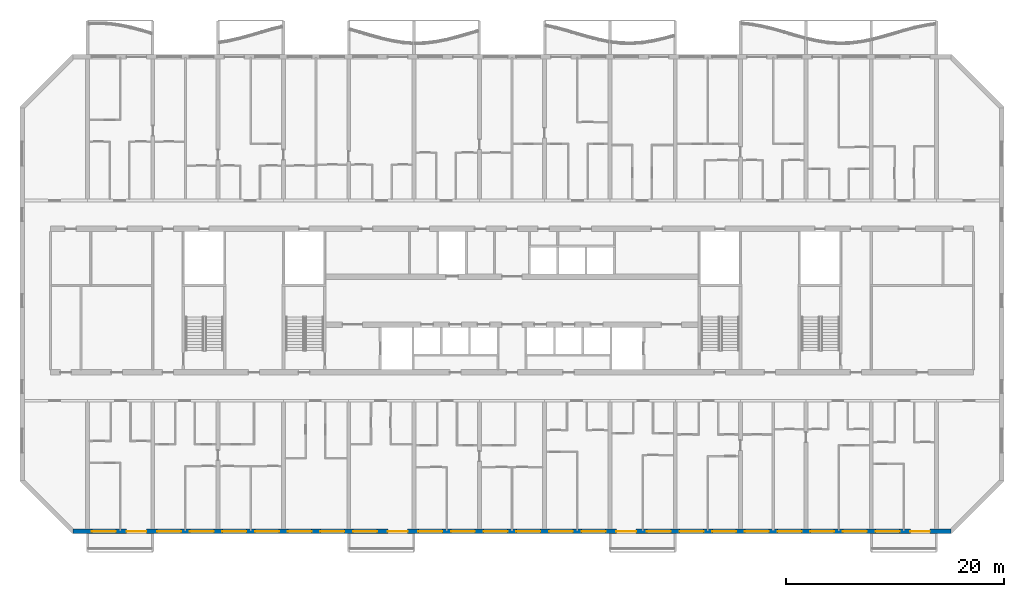
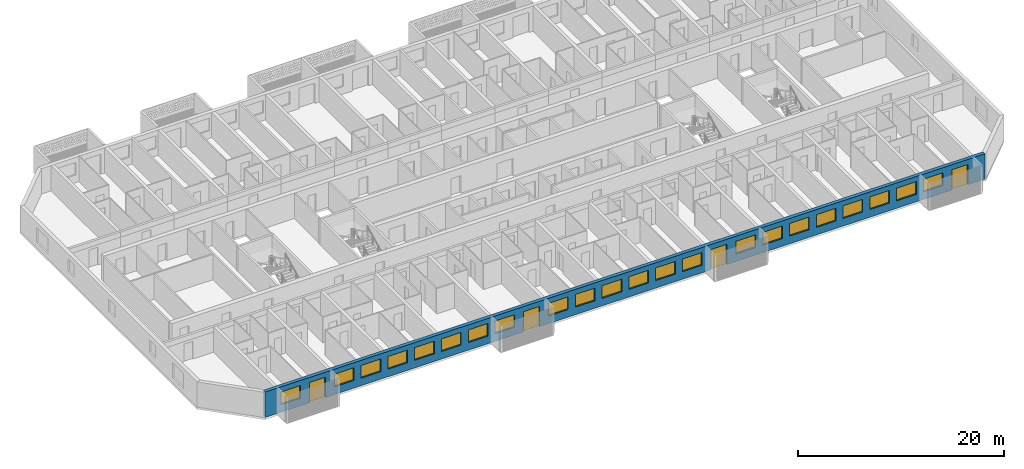
# One storey, part 4 of 24: 22 windows, 4 doors, 1 wall, 26 openings.
"""IFC4 building model written with IfcOpenShell, lengths in metres."""

from ifc_helpers import new_model, si_unit, direction, frame, frame_2d, origin, place, context, subcontext, project, spatial, rectangle, extrude, material, layer, layer_set, type_object, element, fill, save


model = new_model("IFC4")

# Units and contexts
model_context = context("Model", 3, precision=1e-05, world=origin(), true_north=direction((0.0, 1.0)))
body_context = subcontext(model_context, "Body", "Model", "MODEL_VIEW")
ifc_project = project(units=[si_unit("LENGTHUNIT", "METRE"), si_unit("AREAUNIT", "SQUARE_METRE"), si_unit("VOLUMEUNIT", "CUBIC_METRE"), si_unit("PLANEANGLEUNIT", "RADIAN"), si_unit("MASSUNIT", "GRAM", prefix="KILO")], contexts=[model_context])

# Site, building, storey
site_placement = place(None, origin())
site = spatial("IfcSite", under=ifc_project, at=site_placement, CompositionType="ELEMENT")
building_placement = place(site_placement, origin())
building = spatial("IfcBuilding", under=site, at=building_placement, Name="Poui Terraces", CompositionType="ELEMENT")
storey_placement = place(building_placement, frame((0.0, 0.0, 102.60009765625)))
storey = spatial("IfcBuildingStorey", under=building, at=storey_placement, Name="L28", CompositionType="ELEMENT", Elevation=102.60009765625)

# Wall, openings, doors, windows
ifc_material_1 = material(Name="Precast concrete 40 MPa", Category="concrete")
ifc_layer = layer(ifc_material_1, 0.39990234375)
ifc_layer_set = layer_set([ifc_layer], Name="Precast concrete 40 MPa")
wall_type = type_object("IfcWallType", Name="EXTERNAL WALL 400", PredefinedType="STANDARD", material=ifc_layer_set)
wall_placement = place(storey_placement, frame((10.682861328125, 0.0, 0.0), z_axis=(0.0, 0.0, 1.0), x_axis=(1.0, 0.0, 0.0)))
wall = element("IfcWall", 1, at=wall_placement, inside=storey, type_object=wall_type, Name="EXTERNAL WALL S", PredefinedType="STANDARD", context=body_context, shape_type="SweptSolid", body=[
    extrude(rectangle(XDim=80.63427734375, YDim=0.39990234375, at=frame_2d((40.317138671875, 0.0))), origin(), (0.0, 0.0, 1.0), 3.0),
])
opening_1_placement = place(wall_placement, frame((1.71728515625, 0.0, 0.89990234375)))
opening_1 = element("IfcOpeningElement", 2, at=opening_1_placement, cuts=wall, Name="Opening W1", PredefinedType="OPENING", context=body_context, shape_type="SweptSolid", body=[
    extrude(rectangle(XDim=2.199951171875, YDim=1.5, at=frame_2d((1.10009765625, 0.75))), frame((0.0, 0.2099609375, 0.0), z_axis=(0.0, -1.0, 0.0), x_axis=(1.0, 0.0, 0.0)), (0.0, 0.0, 1.0), 0.419921875),
])
opening_2_placement = place(wall_placement, frame((4.917236328125, 0.0, 0.0)))
opening_2 = element("IfcOpeningElement", 3, at=opening_2_placement, cuts=wall, Name="Opening BD1", PredefinedType="OPENING", context=body_context, shape_type="SweptSolid", body=[
    extrude(rectangle(XDim=1.800048828125, YDim=2.39990234375, at=frame_2d((0.89990234375, 1.199951171875))), frame((0.0, 0.2099609375, 0.0), z_axis=(0.0, -1.0, 0.0), x_axis=(1.0, 0.0, 0.0)), (0.0, 0.0, 1.0), 0.419921875),
])
opening_3_placement = place(wall_placement, frame((7.71728515625, 0.0, 0.89990234375)))
opening_3 = element("IfcOpeningElement", 4, at=opening_3_placement, cuts=wall, Name="Opening W1", PredefinedType="OPENING", context=body_context, shape_type="SweptSolid", body=[
    extrude(rectangle(XDim=2.199951171875, YDim=1.5, at=frame_2d((1.10009765625, 0.75))), frame((0.0, 0.2099609375, 0.0), z_axis=(0.0, -1.0, 0.0), x_axis=(1.0, 0.0, 0.0)), (0.0, 0.0, 1.0), 0.419921875),
])
opening_4_placement = place(wall_placement, frame((10.71728515625, 0.0, 0.89990234375)))
opening_4 = element("IfcOpeningElement", 5, at=opening_4_placement, cuts=wall, Name="Opening W1", PredefinedType="OPENING", context=body_context, shape_type="SweptSolid", body=[
    extrude(rectangle(XDim=2.199951171875, YDim=1.5, at=frame_2d((1.10009765625, 0.75))), frame((0.0, 0.2099609375, 0.0), z_axis=(0.0, -1.0, 0.0), x_axis=(1.0, 0.0, 0.0)), (0.0, 0.0, 1.0), 0.419921875),
])
opening_5_placement = place(wall_placement, frame((13.71728515625, 0.0, 0.89990234375)))
opening_5 = element("IfcOpeningElement", 6, at=opening_5_placement, cuts=wall, Name="Opening W1", PredefinedType="OPENING", context=body_context, shape_type="SweptSolid", body=[
    extrude(rectangle(XDim=2.199951171875, YDim=1.5, at=frame_2d((1.10009765625, 0.75))), frame((0.0, 0.2099609375, 0.0), z_axis=(0.0, -1.0, 0.0), x_axis=(1.0, 0.0, 0.0)), (0.0, 0.0, 1.0), 0.419921875),
])
opening_6_placement = place(wall_placement, frame((16.71728515625, 0.0, 0.89990234375)))
opening_6 = element("IfcOpeningElement", 7, at=opening_6_placement, cuts=wall, Name="Opening W1", PredefinedType="OPENING", context=body_context, shape_type="SweptSolid", body=[
    extrude(rectangle(XDim=2.199951171875, YDim=1.5, at=frame_2d((1.10009765625, 0.75))), frame((0.0, 0.2099609375, 0.0), z_axis=(0.0, -1.0, 0.0), x_axis=(1.0, 0.0, 0.0)), (0.0, 0.0, 1.0), 0.419921875),
])
opening_7_placement = place(wall_placement, frame((19.71728515625, 0.0, 0.89990234375)))
opening_7 = element("IfcOpeningElement", 8, at=opening_7_placement, cuts=wall, Name="Opening W1", PredefinedType="OPENING", context=body_context, shape_type="SweptSolid", body=[
    extrude(rectangle(XDim=2.199951171875, YDim=1.5, at=frame_2d((1.10009765625, 0.75))), frame((0.0, 0.2099609375, 0.0), z_axis=(0.0, -1.0, 0.0), x_axis=(1.0, 0.0, 0.0)), (0.0, 0.0, 1.0), 0.419921875),
])
opening_8_placement = place(wall_placement, frame((22.71728515625, 0.0, 0.89990234375)))
opening_8 = element("IfcOpeningElement", 9, at=opening_8_placement, cuts=wall, Name="Opening W1", PredefinedType="OPENING", context=body_context, shape_type="SweptSolid", body=[
    extrude(rectangle(XDim=2.199951171875, YDim=1.5, at=frame_2d((1.10009765625, 0.75))), frame((0.0, 0.2099609375, 0.0), z_axis=(0.0, -1.0, 0.0), x_axis=(1.0, 0.0, 0.0)), (0.0, 0.0, 1.0), 0.419921875),
])
opening_9_placement = place(wall_placement, frame((25.71728515625, 0.0, 0.89990234375)))
opening_9 = element("IfcOpeningElement", 10, at=opening_9_placement, cuts=wall, Name="Opening W1", PredefinedType="OPENING", context=body_context, shape_type="SweptSolid", body=[
    extrude(rectangle(XDim=2.199951171875, YDim=1.5, at=frame_2d((1.10009765625, 0.75))), frame((0.0, 0.2099609375, 0.0), z_axis=(0.0, -1.0, 0.0), x_axis=(1.0, 0.0, 0.0)), (0.0, 0.0, 1.0), 0.419921875),
])
opening_10_placement = place(wall_placement, frame((28.917236328125, 0.0, 0.0)))
opening_10 = element("IfcOpeningElement", 11, at=opening_10_placement, cuts=wall, Name="Opening BD1", PredefinedType="OPENING", context=body_context, shape_type="SweptSolid", body=[
    extrude(rectangle(XDim=1.800048828125, YDim=2.39990234375, at=frame_2d((0.89990234375, 1.199951171875))), frame((0.0, 0.2099609375, 0.0), z_axis=(0.0, -1.0, 0.0), x_axis=(1.0, 0.0, 0.0)), (0.0, 0.0, 1.0), 0.419921875),
])
opening_11_placement = place(wall_placement, frame((31.71728515625, 0.0, 0.89990234375)))
opening_11 = element("IfcOpeningElement", 12, at=opening_11_placement, cuts=wall, Name="Opening W1", PredefinedType="OPENING", context=body_context, shape_type="SweptSolid", body=[
    extrude(rectangle(XDim=2.199951171875, YDim=1.5, at=frame_2d((1.10009765625, 0.75))), frame((0.0, 0.2099609375, 0.0), z_axis=(0.0, -1.0, 0.0), x_axis=(1.0, 0.0, 0.0)), (0.0, 0.0, 1.0), 0.419921875),
])
opening_12_placement = place(wall_placement, frame((34.71728515625, 0.0, 0.89990234375)))
opening_12 = element("IfcOpeningElement", 13, at=opening_12_placement, cuts=wall, Name="Opening W1", PredefinedType="OPENING", context=body_context, shape_type="SweptSolid", body=[
    extrude(rectangle(XDim=2.199951171875, YDim=1.5, at=frame_2d((1.10009765625, 0.75))), frame((0.0, 0.2099609375, 0.0), z_axis=(0.0, -1.0, 0.0), x_axis=(1.0, 0.0, 0.0)), (0.0, 0.0, 1.0), 0.419921875),
])
opening_13_placement = place(wall_placement, frame((37.71728515625, 0.0, 0.89990234375)))
opening_13 = element("IfcOpeningElement", 14, at=opening_13_placement, cuts=wall, Name="Opening W1", PredefinedType="OPENING", context=body_context, shape_type="SweptSolid", body=[
    extrude(rectangle(XDim=2.199951171875, YDim=1.5, at=frame_2d((1.10009765625, 0.75))), frame((0.0, 0.2099609375, 0.0), z_axis=(0.0, -1.0, 0.0), x_axis=(1.0, 0.0, 0.0)), (0.0, 0.0, 1.0), 0.419921875),
])
opening_14_placement = place(wall_placement, frame((40.71728515625, 0.0, 0.89990234375)))
opening_14 = element("IfcOpeningElement", 15, at=opening_14_placement, cuts=wall, Name="Opening W1", PredefinedType="OPENING", context=body_context, shape_type="SweptSolid", body=[
    extrude(rectangle(XDim=2.199951171875, YDim=1.5, at=frame_2d((1.10009765625, 0.75))), frame((0.0, 0.2099609375, 0.0), z_axis=(0.0, -1.0, 0.0), x_axis=(1.0, 0.0, 0.0)), (0.0, 0.0, 1.0), 0.419921875),
])
opening_15_placement = place(wall_placement, frame((43.71728515625, 0.0, 0.89990234375)))
opening_15 = element("IfcOpeningElement", 16, at=opening_15_placement, cuts=wall, Name="Opening W1", PredefinedType="OPENING", context=body_context, shape_type="SweptSolid", body=[
    extrude(rectangle(XDim=2.199951171875, YDim=1.5, at=frame_2d((1.10009765625, 0.75))), frame((0.0, 0.2099609375, 0.0), z_axis=(0.0, -1.0, 0.0), x_axis=(1.0, 0.0, 0.0)), (0.0, 0.0, 1.0), 0.419921875),
])
opening_16_placement = place(wall_placement, frame((46.71728515625, 0.0, 0.89990234375)))
opening_16 = element("IfcOpeningElement", 17, at=opening_16_placement, cuts=wall, Name="Opening W1", PredefinedType="OPENING", context=body_context, shape_type="SweptSolid", body=[
    extrude(rectangle(XDim=2.199951171875, YDim=1.5, at=frame_2d((1.10009765625, 0.75))), frame((0.0, 0.2099609375, 0.0), z_axis=(0.0, -1.0, 0.0), x_axis=(1.0, 0.0, 0.0)), (0.0, 0.0, 1.0), 0.419921875),
])
opening_17_placement = place(wall_placement, frame((49.917236328125, 0.0, 0.0)))
opening_17 = element("IfcOpeningElement", 18, at=opening_17_placement, cuts=wall, Name="Opening BD1", PredefinedType="OPENING", context=body_context, shape_type="SweptSolid", body=[
    extrude(rectangle(XDim=1.800048828125, YDim=2.39990234375, at=frame_2d((0.89990234375, 1.199951171875))), frame((0.0, 0.2099609375, 0.0), z_axis=(0.0, -1.0, 0.0), x_axis=(1.0, 0.0, 0.0)), (0.0, 0.0, 1.0), 0.419921875),
])
opening_18_placement = place(wall_placement, frame((52.71728515625, 0.0, 0.89990234375)))
opening_18 = element("IfcOpeningElement", 19, at=opening_18_placement, cuts=wall, Name="Opening W1", PredefinedType="OPENING", context=body_context, shape_type="SweptSolid", body=[
    extrude(rectangle(XDim=2.199951171875, YDim=1.5, at=frame_2d((1.10009765625, 0.75))), frame((0.0, 0.2099609375, 0.0), z_axis=(0.0, -1.0, 0.0), x_axis=(1.0, 0.0, 0.0)), (0.0, 0.0, 1.0), 0.419921875),
])
opening_19_placement = place(wall_placement, frame((55.71728515625, 0.0, 0.89990234375)))
opening_19 = element("IfcOpeningElement", 20, at=opening_19_placement, cuts=wall, Name="Opening W1", PredefinedType="OPENING", context=body_context, shape_type="SweptSolid", body=[
    extrude(rectangle(XDim=2.199951171875, YDim=1.5, at=frame_2d((1.10009765625, 0.75))), frame((0.0, 0.2099609375, 0.0), z_axis=(0.0, -1.0, 0.0), x_axis=(1.0, 0.0, 0.0)), (0.0, 0.0, 1.0), 0.419921875),
])
opening_20_placement = place(wall_placement, frame((58.71728515625, 0.0, 0.89990234375)))
opening_20 = element("IfcOpeningElement", 21, at=opening_20_placement, cuts=wall, Name="Opening W1", PredefinedType="OPENING", context=body_context, shape_type="SweptSolid", body=[
    extrude(rectangle(XDim=2.199951171875, YDim=1.5, at=frame_2d((1.10009765625, 0.75))), frame((0.0, 0.2099609375, 0.0), z_axis=(0.0, -1.0, 0.0), x_axis=(1.0, 0.0, 0.0)), (0.0, 0.0, 1.0), 0.419921875),
])
opening_21_placement = place(wall_placement, frame((61.71728515625, 0.0, 0.89990234375)))
opening_21 = element("IfcOpeningElement", 22, at=opening_21_placement, cuts=wall, Name="Opening W1", PredefinedType="OPENING", context=body_context, shape_type="SweptSolid", body=[
    extrude(rectangle(XDim=2.199951171875, YDim=1.5, at=frame_2d((1.10009765625, 0.75))), frame((0.0, 0.2099609375, 0.0), z_axis=(0.0, -1.0, 0.0), x_axis=(1.0, 0.0, 0.0)), (0.0, 0.0, 1.0), 0.419921875),
])
opening_22_placement = place(wall_placement, frame((64.71728515625, 0.0, 0.89990234375)))
opening_22 = element("IfcOpeningElement", 23, at=opening_22_placement, cuts=wall, Name="Opening W1", PredefinedType="OPENING", context=body_context, shape_type="SweptSolid", body=[
    extrude(rectangle(XDim=2.199951171875, YDim=1.5, at=frame_2d((1.10009765625, 0.75))), frame((0.0, 0.2099609375, 0.0), z_axis=(0.0, -1.0, 0.0), x_axis=(1.0, 0.0, 0.0)), (0.0, 0.0, 1.0), 0.419921875),
])
opening_23_placement = place(wall_placement, frame((67.71728515625, 0.0, 0.89990234375)))
opening_23 = element("IfcOpeningElement", 24, at=opening_23_placement, cuts=wall, Name="Opening W1", PredefinedType="OPENING", context=body_context, shape_type="SweptSolid", body=[
    extrude(rectangle(XDim=2.199951171875, YDim=1.5, at=frame_2d((1.10009765625, 0.75))), frame((0.0, 0.2099609375, 0.0), z_axis=(0.0, -1.0, 0.0), x_axis=(1.0, 0.0, 0.0)), (0.0, 0.0, 1.0), 0.419921875),
])
opening_24_placement = place(wall_placement, frame((70.71728515625, 0.0, 0.89990234375)))
opening_24 = element("IfcOpeningElement", 25, at=opening_24_placement, cuts=wall, Name="Opening W1", PredefinedType="OPENING", context=body_context, shape_type="SweptSolid", body=[
    extrude(rectangle(XDim=2.199951171875, YDim=1.5, at=frame_2d((1.10009765625, 0.75))), frame((0.0, 0.2099609375, 0.0), z_axis=(0.0, -1.0, 0.0), x_axis=(1.0, 0.0, 0.0)), (0.0, 0.0, 1.0), 0.419921875),
])
opening_25_placement = place(wall_placement, frame((73.71728515625, 0.0, 0.89990234375)))
opening_25 = element("IfcOpeningElement", 26, at=opening_25_placement, cuts=wall, Name="Opening W1", PredefinedType="OPENING", context=body_context, shape_type="SweptSolid", body=[
    extrude(rectangle(XDim=2.199951171875, YDim=1.5, at=frame_2d((1.10009765625, 0.75))), frame((0.0, 0.2099609375, 0.0), z_axis=(0.0, -1.0, 0.0), x_axis=(1.0, 0.0, 0.0)), (0.0, 0.0, 1.0), 0.419921875),
])
opening_26_placement = place(wall_placement, frame((76.917236328125, 0.0, 0.0)))
opening_26 = element("IfcOpeningElement", 27, at=opening_26_placement, cuts=wall, Name="Opening BD1", PredefinedType="OPENING", context=body_context, shape_type="SweptSolid", body=[
    extrude(rectangle(XDim=1.800048828125, YDim=2.39990234375, at=frame_2d((0.89990234375, 1.199951171875))), frame((0.0, 0.2099609375, 0.0), z_axis=(0.0, -1.0, 0.0), x_axis=(1.0, 0.0, 0.0)), (0.0, 0.0, 1.0), 0.419921875),
])
ifc_material_2 = material(Name="Clear glass in aluminium frame", Category="aluminium")
door_type = type_object("IfcDoorType", Name="BALCONY DOOR 1800X2400", OperationType="DOUBLE_DOOR_SLIDING", PredefinedType="DOOR", material=ifc_material_2)
door_1_placement = place(opening_2_placement, origin())
door_1 = element("IfcDoor", 28, at=door_1_placement, inside=storey, type_object=door_type, Name="BD1 BALCONY DOOR", OperationType="DOUBLE_DOOR_SLIDING", OverallHeight=2.39990234375, OverallWidth=1.800048828125, PredefinedType="DOOR", context=body_context, shape_type="SweptSolid", body=[
    extrude(rectangle(XDim=1.800048828125, YDim=2.39990234375, at=frame_2d((0.89990234375, 1.199951171875))), frame((0.0, 0.02490234375, 0.0), z_axis=(0.0, -1.0, 0.0), x_axis=(1.0, 0.0, 0.0)), (0.0, 0.0, 1.0), 0.050048828125),
])
fill(opening_2, door_1)
door_2_placement = place(opening_10_placement, origin())
door_2 = element("IfcDoor", 29, at=door_2_placement, inside=storey, type_object=door_type, Name="BD1 BALCONY DOOR", OperationType="DOUBLE_DOOR_SLIDING", OverallHeight=2.39990234375, OverallWidth=1.800048828125, PredefinedType="DOOR", context=body_context, shape_type="SweptSolid", body=[
    extrude(rectangle(XDim=1.800048828125, YDim=2.39990234375, at=frame_2d((0.89990234375, 1.199951171875))), frame((0.0, 0.02490234375, 0.0), z_axis=(0.0, -1.0, 0.0), x_axis=(1.0, 0.0, 0.0)), (0.0, 0.0, 1.0), 0.050048828125),
])
fill(opening_10, door_2)
door_3_placement = place(opening_17_placement, origin())
door_3 = element("IfcDoor", 30, at=door_3_placement, inside=storey, type_object=door_type, Name="BD1 BALCONY DOOR", OperationType="DOUBLE_DOOR_SLIDING", OverallHeight=2.39990234375, OverallWidth=1.800048828125, PredefinedType="DOOR", context=body_context, shape_type="SweptSolid", body=[
    extrude(rectangle(XDim=1.800048828125, YDim=2.39990234375, at=frame_2d((0.89990234375, 1.199951171875))), frame((0.0, 0.02490234375, 0.0), z_axis=(0.0, -1.0, 0.0), x_axis=(1.0, 0.0, 0.0)), (0.0, 0.0, 1.0), 0.050048828125),
])
fill(opening_17, door_3)
door_4_placement = place(opening_26_placement, origin())
door_4 = element("IfcDoor", 31, at=door_4_placement, inside=storey, type_object=door_type, Name="BD1 BALCONY DOOR", OperationType="DOUBLE_DOOR_SLIDING", OverallHeight=2.39990234375, OverallWidth=1.800048828125, PredefinedType="DOOR", context=body_context, shape_type="SweptSolid", body=[
    extrude(rectangle(XDim=1.800048828125, YDim=2.39990234375, at=frame_2d((0.89990234375, 1.199951171875))), frame((0.0, 0.02490234375, 0.0), z_axis=(0.0, -1.0, 0.0), x_axis=(1.0, 0.0, 0.0)), (0.0, 0.0, 1.0), 0.050048828125),
])
fill(opening_26, door_4)
window_type = type_object("IfcWindowType", Name="WINDOW 2200X1500", PartitioningType="DOUBLE_PANEL_HORIZONTAL", PredefinedType="WINDOW", material=ifc_material_2)
window_1_placement = place(opening_1_placement, origin())
window_1 = element("IfcWindow", 32, at=window_1_placement, inside=storey, type_object=window_type, Name="W1 WINDOW", OverallHeight=1.5, OverallWidth=2.199951171875, PartitioningType="DOUBLE_PANEL_HORIZONTAL", PredefinedType="WINDOW", context=body_context, shape_type="SweptSolid", body=[
    extrude(rectangle(XDim=2.199951171875, YDim=1.5, at=frame_2d((1.10009765625, 0.75))), frame((0.0, 0.030029296875, 0.0), z_axis=(0.0, -1.0, 0.0), x_axis=(1.0, 0.0, 0.0)), (0.0, 0.0, 1.0), 0.06005859375),
])
fill(opening_1, window_1)
window_2_placement = place(opening_3_placement, origin())
window_2 = element("IfcWindow", 33, at=window_2_placement, inside=storey, type_object=window_type, Name="W1 WINDOW", OverallHeight=1.5, OverallWidth=2.199951171875, PartitioningType="DOUBLE_PANEL_HORIZONTAL", PredefinedType="WINDOW", context=body_context, shape_type="SweptSolid", body=[
    extrude(rectangle(XDim=2.199951171875, YDim=1.5, at=frame_2d((1.10009765625, 0.75))), frame((0.0, 0.030029296875, 0.0), z_axis=(0.0, -1.0, 0.0), x_axis=(1.0, 0.0, 0.0)), (0.0, 0.0, 1.0), 0.06005859375),
])
fill(opening_3, window_2)
window_3_placement = place(opening_4_placement, origin())
window_3 = element("IfcWindow", 34, at=window_3_placement, inside=storey, type_object=window_type, Name="W1 WINDOW", OverallHeight=1.5, OverallWidth=2.199951171875, PartitioningType="DOUBLE_PANEL_HORIZONTAL", PredefinedType="WINDOW", context=body_context, shape_type="SweptSolid", body=[
    extrude(rectangle(XDim=2.199951171875, YDim=1.5, at=frame_2d((1.10009765625, 0.75))), frame((0.0, 0.030029296875, 0.0), z_axis=(0.0, -1.0, 0.0), x_axis=(1.0, 0.0, 0.0)), (0.0, 0.0, 1.0), 0.06005859375),
])
fill(opening_4, window_3)
window_4_placement = place(opening_5_placement, origin())
window_4 = element("IfcWindow", 35, at=window_4_placement, inside=storey, type_object=window_type, Name="W1 WINDOW", OverallHeight=1.5, OverallWidth=2.199951171875, PartitioningType="DOUBLE_PANEL_HORIZONTAL", PredefinedType="WINDOW", context=body_context, shape_type="SweptSolid", body=[
    extrude(rectangle(XDim=2.199951171875, YDim=1.5, at=frame_2d((1.10009765625, 0.75))), frame((0.0, 0.030029296875, 0.0), z_axis=(0.0, -1.0, 0.0), x_axis=(1.0, 0.0, 0.0)), (0.0, 0.0, 1.0), 0.06005859375),
])
fill(opening_5, window_4)
window_5_placement = place(opening_6_placement, origin())
window_5 = element("IfcWindow", 36, at=window_5_placement, inside=storey, type_object=window_type, Name="W1 WINDOW", OverallHeight=1.5, OverallWidth=2.199951171875, PartitioningType="DOUBLE_PANEL_HORIZONTAL", PredefinedType="WINDOW", context=body_context, shape_type="SweptSolid", body=[
    extrude(rectangle(XDim=2.199951171875, YDim=1.5, at=frame_2d((1.10009765625, 0.75))), frame((0.0, 0.030029296875, 0.0), z_axis=(0.0, -1.0, 0.0), x_axis=(1.0, 0.0, 0.0)), (0.0, 0.0, 1.0), 0.06005859375),
])
fill(opening_6, window_5)
window_6_placement = place(opening_7_placement, origin())
window_6 = element("IfcWindow", 37, at=window_6_placement, inside=storey, type_object=window_type, Name="W1 WINDOW", OverallHeight=1.5, OverallWidth=2.199951171875, PartitioningType="DOUBLE_PANEL_HORIZONTAL", PredefinedType="WINDOW", context=body_context, shape_type="SweptSolid", body=[
    extrude(rectangle(XDim=2.199951171875, YDim=1.5, at=frame_2d((1.10009765625, 0.75))), frame((0.0, 0.030029296875, 0.0), z_axis=(0.0, -1.0, 0.0), x_axis=(1.0, 0.0, 0.0)), (0.0, 0.0, 1.0), 0.06005859375),
])
fill(opening_7, window_6)
window_7_placement = place(opening_8_placement, origin())
window_7 = element("IfcWindow", 38, at=window_7_placement, inside=storey, type_object=window_type, Name="W1 WINDOW", OverallHeight=1.5, OverallWidth=2.199951171875, PartitioningType="DOUBLE_PANEL_HORIZONTAL", PredefinedType="WINDOW", context=body_context, shape_type="SweptSolid", body=[
    extrude(rectangle(XDim=2.199951171875, YDim=1.5, at=frame_2d((1.10009765625, 0.75))), frame((0.0, 0.030029296875, 0.0), z_axis=(0.0, -1.0, 0.0), x_axis=(1.0, 0.0, 0.0)), (0.0, 0.0, 1.0), 0.06005859375),
])
fill(opening_8, window_7)
window_8_placement = place(opening_9_placement, origin())
window_8 = element("IfcWindow", 39, at=window_8_placement, inside=storey, type_object=window_type, Name="W1 WINDOW", OverallHeight=1.5, OverallWidth=2.199951171875, PartitioningType="DOUBLE_PANEL_HORIZONTAL", PredefinedType="WINDOW", context=body_context, shape_type="SweptSolid", body=[
    extrude(rectangle(XDim=2.199951171875, YDim=1.5, at=frame_2d((1.10009765625, 0.75))), frame((0.0, 0.030029296875, 0.0), z_axis=(0.0, -1.0, 0.0), x_axis=(1.0, 0.0, 0.0)), (0.0, 0.0, 1.0), 0.06005859375),
])
fill(opening_9, window_8)
window_9_placement = place(opening_11_placement, origin())
window_9 = element("IfcWindow", 40, at=window_9_placement, inside=storey, type_object=window_type, Name="W1 WINDOW", OverallHeight=1.5, OverallWidth=2.199951171875, PartitioningType="DOUBLE_PANEL_HORIZONTAL", PredefinedType="WINDOW", context=body_context, shape_type="SweptSolid", body=[
    extrude(rectangle(XDim=2.199951171875, YDim=1.5, at=frame_2d((1.10009765625, 0.75))), frame((0.0, 0.030029296875, 0.0), z_axis=(0.0, -1.0, 0.0), x_axis=(1.0, 0.0, 0.0)), (0.0, 0.0, 1.0), 0.06005859375),
])
fill(opening_11, window_9)
window_10_placement = place(opening_12_placement, origin())
window_10 = element("IfcWindow", 41, at=window_10_placement, inside=storey, type_object=window_type, Name="W1 WINDOW", OverallHeight=1.5, OverallWidth=2.199951171875, PartitioningType="DOUBLE_PANEL_HORIZONTAL", PredefinedType="WINDOW", context=body_context, shape_type="SweptSolid", body=[
    extrude(rectangle(XDim=2.199951171875, YDim=1.5, at=frame_2d((1.10009765625, 0.75))), frame((0.0, 0.030029296875, 0.0), z_axis=(0.0, -1.0, 0.0), x_axis=(1.0, 0.0, 0.0)), (0.0, 0.0, 1.0), 0.06005859375),
])
fill(opening_12, window_10)
window_11_placement = place(opening_13_placement, origin())
window_11 = element("IfcWindow", 42, at=window_11_placement, inside=storey, type_object=window_type, Name="W1 WINDOW", OverallHeight=1.5, OverallWidth=2.199951171875, PartitioningType="DOUBLE_PANEL_HORIZONTAL", PredefinedType="WINDOW", context=body_context, shape_type="SweptSolid", body=[
    extrude(rectangle(XDim=2.199951171875, YDim=1.5, at=frame_2d((1.10009765625, 0.75))), frame((0.0, 0.030029296875, 0.0), z_axis=(0.0, -1.0, 0.0), x_axis=(1.0, 0.0, 0.0)), (0.0, 0.0, 1.0), 0.06005859375),
])
fill(opening_13, window_11)
window_12_placement = place(opening_14_placement, origin())
window_12 = element("IfcWindow", 43, at=window_12_placement, inside=storey, type_object=window_type, Name="W1 WINDOW", OverallHeight=1.5, OverallWidth=2.199951171875, PartitioningType="DOUBLE_PANEL_HORIZONTAL", PredefinedType="WINDOW", context=body_context, shape_type="SweptSolid", body=[
    extrude(rectangle(XDim=2.199951171875, YDim=1.5, at=frame_2d((1.10009765625, 0.75))), frame((0.0, 0.030029296875, 0.0), z_axis=(0.0, -1.0, 0.0), x_axis=(1.0, 0.0, 0.0)), (0.0, 0.0, 1.0), 0.06005859375),
])
fill(opening_14, window_12)
window_13_placement = place(opening_15_placement, origin())
window_13 = element("IfcWindow", 44, at=window_13_placement, inside=storey, type_object=window_type, Name="W1 WINDOW", OverallHeight=1.5, OverallWidth=2.199951171875, PartitioningType="DOUBLE_PANEL_HORIZONTAL", PredefinedType="WINDOW", context=body_context, shape_type="SweptSolid", body=[
    extrude(rectangle(XDim=2.199951171875, YDim=1.5, at=frame_2d((1.10009765625, 0.75))), frame((0.0, 0.030029296875, 0.0), z_axis=(0.0, -1.0, 0.0), x_axis=(1.0, 0.0, 0.0)), (0.0, 0.0, 1.0), 0.06005859375),
])
fill(opening_15, window_13)
window_14_placement = place(opening_16_placement, origin())
window_14 = element("IfcWindow", 45, at=window_14_placement, inside=storey, type_object=window_type, Name="W1 WINDOW", OverallHeight=1.5, OverallWidth=2.199951171875, PartitioningType="DOUBLE_PANEL_HORIZONTAL", PredefinedType="WINDOW", context=body_context, shape_type="SweptSolid", body=[
    extrude(rectangle(XDim=2.199951171875, YDim=1.5, at=frame_2d((1.10009765625, 0.75))), frame((0.0, 0.030029296875, 0.0), z_axis=(0.0, -1.0, 0.0), x_axis=(1.0, 0.0, 0.0)), (0.0, 0.0, 1.0), 0.06005859375),
])
fill(opening_16, window_14)
window_15_placement = place(opening_18_placement, origin())
window_15 = element("IfcWindow", 46, at=window_15_placement, inside=storey, type_object=window_type, Name="W1 WINDOW", OverallHeight=1.5, OverallWidth=2.199951171875, PartitioningType="DOUBLE_PANEL_HORIZONTAL", PredefinedType="WINDOW", context=body_context, shape_type="SweptSolid", body=[
    extrude(rectangle(XDim=2.199951171875, YDim=1.5, at=frame_2d((1.10009765625, 0.75))), frame((0.0, 0.030029296875, 0.0), z_axis=(0.0, -1.0, 0.0), x_axis=(1.0, 0.0, 0.0)), (0.0, 0.0, 1.0), 0.06005859375),
])
fill(opening_18, window_15)
window_16_placement = place(opening_19_placement, origin())
window_16 = element("IfcWindow", 47, at=window_16_placement, inside=storey, type_object=window_type, Name="W1 WINDOW", OverallHeight=1.5, OverallWidth=2.199951171875, PartitioningType="DOUBLE_PANEL_HORIZONTAL", PredefinedType="WINDOW", context=body_context, shape_type="SweptSolid", body=[
    extrude(rectangle(XDim=2.199951171875, YDim=1.5, at=frame_2d((1.10009765625, 0.75))), frame((0.0, 0.030029296875, 0.0), z_axis=(0.0, -1.0, 0.0), x_axis=(1.0, 0.0, 0.0)), (0.0, 0.0, 1.0), 0.06005859375),
])
fill(opening_19, window_16)
window_17_placement = place(opening_20_placement, origin())
window_17 = element("IfcWindow", 48, at=window_17_placement, inside=storey, type_object=window_type, Name="W1 WINDOW", OverallHeight=1.5, OverallWidth=2.199951171875, PartitioningType="DOUBLE_PANEL_HORIZONTAL", PredefinedType="WINDOW", context=body_context, shape_type="SweptSolid", body=[
    extrude(rectangle(XDim=2.199951171875, YDim=1.5, at=frame_2d((1.10009765625, 0.75))), frame((0.0, 0.030029296875, 0.0), z_axis=(0.0, -1.0, 0.0), x_axis=(1.0, 0.0, 0.0)), (0.0, 0.0, 1.0), 0.06005859375),
])
fill(opening_20, window_17)
window_18_placement = place(opening_21_placement, origin())
window_18 = element("IfcWindow", 49, at=window_18_placement, inside=storey, type_object=window_type, Name="W1 WINDOW", OverallHeight=1.5, OverallWidth=2.199951171875, PartitioningType="DOUBLE_PANEL_HORIZONTAL", PredefinedType="WINDOW", context=body_context, shape_type="SweptSolid", body=[
    extrude(rectangle(XDim=2.199951171875, YDim=1.5, at=frame_2d((1.10009765625, 0.75))), frame((0.0, 0.030029296875, 0.0), z_axis=(0.0, -1.0, 0.0), x_axis=(1.0, 0.0, 0.0)), (0.0, 0.0, 1.0), 0.06005859375),
])
fill(opening_21, window_18)
window_19_placement = place(opening_22_placement, origin())
window_19 = element("IfcWindow", 50, at=window_19_placement, inside=storey, type_object=window_type, Name="W1 WINDOW", OverallHeight=1.5, OverallWidth=2.199951171875, PartitioningType="DOUBLE_PANEL_HORIZONTAL", PredefinedType="WINDOW", context=body_context, shape_type="SweptSolid", body=[
    extrude(rectangle(XDim=2.199951171875, YDim=1.5, at=frame_2d((1.10009765625, 0.75))), frame((0.0, 0.030029296875, 0.0), z_axis=(0.0, -1.0, 0.0), x_axis=(1.0, 0.0, 0.0)), (0.0, 0.0, 1.0), 0.06005859375),
])
fill(opening_22, window_19)
window_20_placement = place(opening_23_placement, origin())
window_20 = element("IfcWindow", 51, at=window_20_placement, inside=storey, type_object=window_type, Name="W1 WINDOW", OverallHeight=1.5, OverallWidth=2.199951171875, PartitioningType="DOUBLE_PANEL_HORIZONTAL", PredefinedType="WINDOW", context=body_context, shape_type="SweptSolid", body=[
    extrude(rectangle(XDim=2.199951171875, YDim=1.5, at=frame_2d((1.10009765625, 0.75))), frame((0.0, 0.030029296875, 0.0), z_axis=(0.0, -1.0, 0.0), x_axis=(1.0, 0.0, 0.0)), (0.0, 0.0, 1.0), 0.06005859375),
])
fill(opening_23, window_20)
window_21_placement = place(opening_24_placement, origin())
window_21 = element("IfcWindow", 52, at=window_21_placement, inside=storey, type_object=window_type, Name="W1 WINDOW", OverallHeight=1.5, OverallWidth=2.199951171875, PartitioningType="DOUBLE_PANEL_HORIZONTAL", PredefinedType="WINDOW", context=body_context, shape_type="SweptSolid", body=[
    extrude(rectangle(XDim=2.199951171875, YDim=1.5, at=frame_2d((1.10009765625, 0.75))), frame((0.0, 0.030029296875, 0.0), z_axis=(0.0, -1.0, 0.0), x_axis=(1.0, 0.0, 0.0)), (0.0, 0.0, 1.0), 0.06005859375),
])
fill(opening_24, window_21)
window_22_placement = place(opening_25_placement, origin())
window_22 = element("IfcWindow", 53, at=window_22_placement, inside=storey, type_object=window_type, Name="W1 WINDOW", OverallHeight=1.5, OverallWidth=2.199951171875, PartitioningType="DOUBLE_PANEL_HORIZONTAL", PredefinedType="WINDOW", context=body_context, shape_type="SweptSolid", body=[
    extrude(rectangle(XDim=2.199951171875, YDim=1.5, at=frame_2d((1.10009765625, 0.75))), frame((0.0, 0.030029296875, 0.0), z_axis=(0.0, -1.0, 0.0), x_axis=(1.0, 0.0, 0.0)), (0.0, 0.0, 1.0), 0.06005859375),
])
fill(opening_25, window_22)

save(model, "model.ifc")
